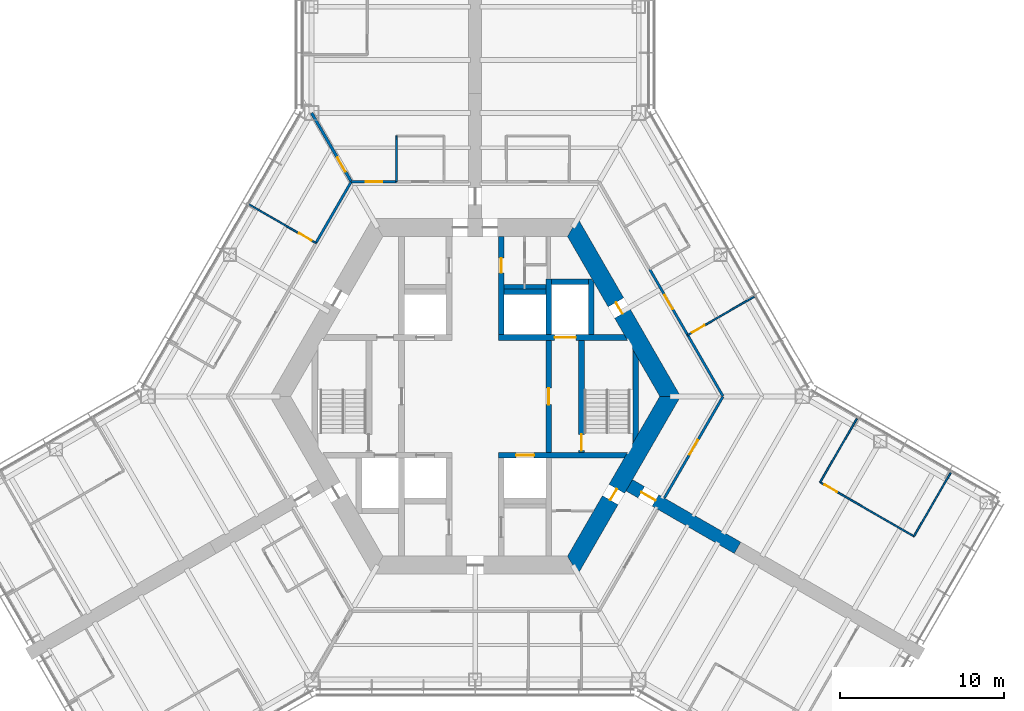
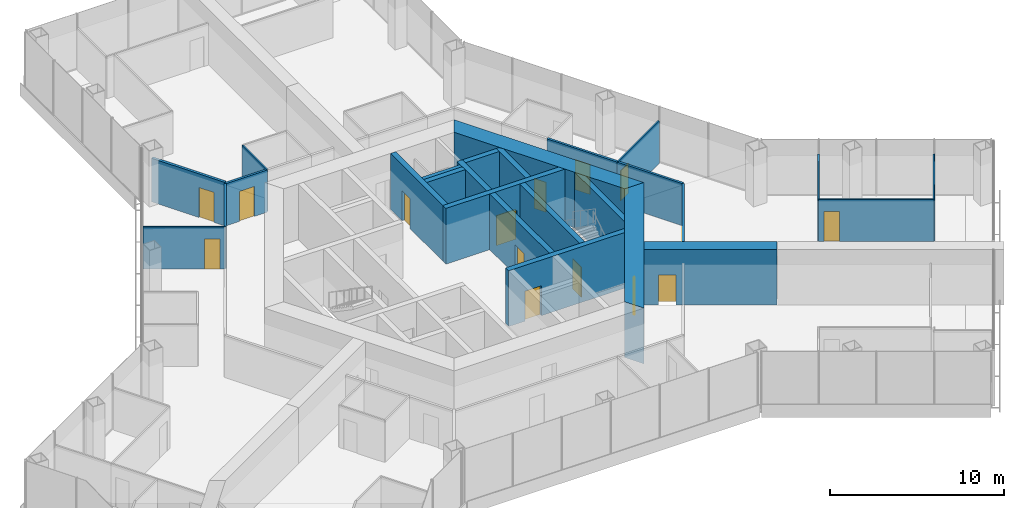
# One storey, part 14 of 18: 26 walls, 15 doors, 15 openings.
"""IFC4 building model written with IfcOpenShell, lengths in metres."""

from ifc_helpers import new_model, si_unit, direction, frame, frame_2d, origin, place, context, subcontext, project, spatial, polyline, rectangle, outline, extrude, material, layer, layer_set, type_object, element, fill, save


model = new_model("IFC4")

# Units and contexts
model_context = context("Model", 3, precision=1e-05, world=origin(), true_north=direction((0.0, 1.0)))
body_context = subcontext(model_context, "Body", "Model", "MODEL_VIEW")
ifc_project = project(units=[si_unit("LENGTHUNIT", "METRE"), si_unit("AREAUNIT", "SQUARE_METRE"), si_unit("VOLUMEUNIT", "CUBIC_METRE"), si_unit("PLANEANGLEUNIT", "RADIAN"), si_unit("MASSUNIT", "GRAM", prefix="KILO")], contexts=[model_context])

# Site, building, storey
site_placement = place(None, origin())
site = spatial("IfcSite", under=ifc_project, at=site_placement, CompositionType="ELEMENT")
building_placement = place(site_placement, origin())
building = spatial("IfcBuilding", under=site, at=building_placement, Name="Kasaneha Research Tower", CompositionType="ELEMENT")
storey_placement = place(building_placement, frame((0.0, 0.0, 111.89990234375)))
storey = spatial("IfcBuildingStorey", under=building, at=storey_placement, Name="L28", CompositionType="ELEMENT", Elevation=111.89990234375)

# Wall, opening, door
ifc_material_1 = material(Name="Concrete Fc80", Category="concrete")
ifc_layer_1 = layer(ifc_material_1, 0.35009765625)
ifc_layer_set_1 = layer_set([ifc_layer_1], Name="Core internal wall 350 Fc80")
wall_type_1 = type_object("IfcWallType", Name="Core internal wall 350 Fc80", PredefinedType="SHEAR", material=ifc_layer_set_1)
wall_1_placement = place(storey_placement, frame((1.425048828125, 3.60009765625, 0.0), z_axis=(0.0, 0.0, 1.0), x_axis=(1.0, 0.0, 0.0)))
wall_1 = element("IfcWall", 1, at=wall_1_placement, inside=storey, type_object=wall_type_1, Name="Core wall W1E L28", PredefinedType="SHEAR", context=body_context, shape_type="SweptSolid", body=[
    extrude(outline(polyline([(0.0, -0.175048828125), (3.425048828125, -0.175048828125), (4.72509765625, -0.175048828125), (7.884765625, -0.175048828125), (7.6826171875, 0.175048828125), (4.72509765625, 0.175048828125), (3.425048828125, 0.175048828125), (0.0, 0.175048828125), (0.0, -0.175048828125)])), origin(), (0.0, 0.0, 1.0), 3.900146484375),
])
opening_1_placement = place(wall_1_placement, frame((3.425048828125, 0.0, 0.0)))
opening_1 = element("IfcOpeningElement", 2, at=opening_1_placement, cuts=wall_1, Name="Opening LD-FL1-L28", PredefinedType="OPENING", context=body_context, shape_type="SweptSolid", body=[
    extrude(rectangle(XDim=1.300048828125, YDim=2.10009765625, at=frame_2d((0.64990234375, 1.050048828125))), frame((0.0, 0.18505859375, 0.0), z_axis=(0.0, -1.0, 0.0), x_axis=(1.0, 0.0, 0.0)), (0.0, 0.0, 1.0), 0.3701171875),
])
ifc_material_2 = material(Name="Steel", Category="steel")
door_type_1 = type_object("IfcDoorType", Name="Lift landing door 1300x2100", OperationType="DOUBLE_DOOR_SLIDING", PredefinedType="DOOR", material=ifc_material_2)
door_1_placement = place(opening_1_placement, origin())
door_1 = element("IfcDoor", 3, at=door_1_placement, inside=storey, type_object=door_type_1, Name="Landing door FL1 LD-FL1-L28", OperationType="DOUBLE_DOOR_SLIDING", OverallHeight=2.10009765625, OverallWidth=1.300048828125, PredefinedType="DOOR", context=body_context, shape_type="SweptSolid", body=[
    extrude(rectangle(XDim=1.300048828125, YDim=2.10009765625, at=frame_2d((0.64990234375, 1.050048828125))), frame((0.0, 0.02490234375, 0.0), z_axis=(0.0, -1.0, 0.0), x_axis=(1.0, 0.0, 0.0)), (0.0, 0.0, 1.0), 0.050048828125),
])
fill(opening_1, door_1)

wall_2_placement = place(storey_placement, frame((1.425048828125, -3.60009765625, 0.0), z_axis=(0.0, 0.0, 1.0), x_axis=(1.0, 0.0, 0.0)))
wall_2 = element("IfcWall", 4, at=wall_2_placement, inside=storey, type_object=wall_type_1, Name="Core wall W2E L28", PredefinedType="SHEAR", context=body_context, shape_type="SweptSolid", body=[
    extrude(outline(polyline([(0.0, -0.175048828125), (1.074951171875, -0.175048828125), (2.175048828125, -0.175048828125), (7.6826171875, -0.175048828125), (7.884765625, 0.175048828125), (2.175048828125, 0.175048828125), (1.074951171875, 0.175048828125), (0.0, 0.175048828125), (0.0, -0.175048828125)])), origin(), (0.0, 0.0, 1.0), 3.900146484375),
])
opening_2_placement = place(wall_2_placement, frame((1.074951171875, 0.0, 0.0)))
opening_2 = element("IfcOpeningElement", 5, at=opening_2_placement, cuts=wall_2, Name="Opening LD-LO3-L28", PredefinedType="OPENING", context=body_context, shape_type="SweptSolid", body=[
    extrude(rectangle(XDim=1.10009765625, YDim=2.10009765625, at=frame_2d((0.550048828125, 1.050048828125))), frame((0.0, 0.18505859375, 0.0), z_axis=(0.0, -1.0, 0.0), x_axis=(1.0, 0.0, 0.0)), (0.0, 0.0, 1.0), 0.3701171875),
])
ifc_material_3 = material(Name="Steel", Category="steel")
door_type_2 = type_object("IfcDoorType", Name="Lift landing door 1100x2100", OperationType="DOUBLE_DOOR_SLIDING", PredefinedType="DOOR", material=ifc_material_3)
door_2_placement = place(opening_2_placement, origin())
door_2 = element("IfcDoor", 6, at=door_2_placement, inside=storey, type_object=door_type_2, Name="Landing door LO3 LD-LO3-L28", OperationType="DOUBLE_DOOR_SLIDING", OverallHeight=2.10009765625, OverallWidth=1.10009765625, PredefinedType="DOOR", context=body_context, shape_type="SweptSolid", body=[
    extrude(rectangle(XDim=1.10009765625, YDim=2.10009765625, at=frame_2d((0.550048828125, 1.050048828125))), frame((0.0, 0.02490234375, 0.0), z_axis=(0.0, -1.0, 0.0), x_axis=(1.0, 0.0, 0.0)), (0.0, 0.0, 1.0), 0.050048828125),
])
fill(opening_2, door_2)

wall_3_placement = place(storey_placement, frame((1.60009765625, 3.77490234375, 0.0), z_axis=(0.0, 0.0, 1.0), x_axis=(0.0, 1.0, 0.0)))
wall_3 = element("IfcWall", 7, at=wall_3_placement, inside=storey, type_object=wall_type_1, Name="Core wall CNE L28", PredefinedType="SHEAR", context=body_context, shape_type="SweptSolid", body=[
    extrude(rectangle(XDim=6.0, YDim=0.35009765625, at=frame_2d((3.0, 0.0))), origin(), (0.0, 0.0, 1.0), 3.900146484375),
])
opening_3_placement = place(wall_3_placement, frame((3.77490234375, 0.0, 0.0)))
opening_3 = element("IfcOpeningElement", 8, at=opening_3_placement, cuts=wall_3, Name="Opening L28-D14", PredefinedType="OPENING", context=body_context, shape_type="SweptSolid", body=[
    extrude(rectangle(XDim=0.89990234375, YDim=2.10009765625, at=frame_2d((0.449951171875, 1.050048828125))), frame((0.0, 0.18505859375, 0.0), z_axis=(0.0, -1.0, 0.0), x_axis=(1.0, 0.0, 0.0)), (0.0, 0.0, 1.0), 0.3701171875),
])
ifc_material_4 = material(Name="Steel", Category="steel")
door_type_3 = type_object("IfcDoorType", Name="Toilet door FD20 900x2100", OperationType="NOTDEFINED", PredefinedType="DOOR", material=ifc_material_4)
door_3_placement = place(opening_3_placement, origin())
door_3 = element("IfcDoor", 9, at=door_3_placement, inside=storey, type_object=door_type_3, Name="Women's WC door L28-D14", OperationType="SINGLE_SWING_LEFT", OverallHeight=2.10009765625, OverallWidth=0.89990234375, PredefinedType="DOOR", context=body_context, shape_type="SweptSolid", body=[
    extrude(rectangle(XDim=0.89990234375, YDim=2.10009765625, at=frame_2d((0.449951171875, 1.050048828125))), frame((0.0, 0.02490234375, 0.0), z_axis=(0.0, -1.0, 0.0), x_axis=(1.0, 0.0, 0.0)), (0.0, 0.0, 1.0), 0.050048828125),
])
fill(opening_3, door_3)

wall_4_placement = place(storey_placement, frame((4.5, -3.425048828125, 0.0), z_axis=(0.0, 0.0, 1.0), x_axis=(0.0, 1.0, 0.0)))
wall_4 = element("IfcWall", 10, at=wall_4_placement, inside=storey, type_object=wall_type_1, Name="Core wall LBE L28", PredefinedType="SHEAR", context=body_context, shape_type="SweptSolid", body=[
    extrude(rectangle(XDim=6.85009765625, YDim=0.35009765625, at=frame_2d((3.425048828125, 0.0))), origin(), (0.0, 0.0, 1.0), 3.900146484375),
])
opening_4_placement = place(wall_4_placement, frame((2.925048828125, 0.0, 0.0)))
opening_4 = element("IfcOpeningElement", 11, at=opening_4_placement, cuts=wall_4, Name="Opening L28-D08", PredefinedType="OPENING", context=body_context, shape_type="SweptSolid", body=[
    extrude(rectangle(XDim=1.0, YDim=2.10009765625, at=frame_2d((0.5, 1.050048828125))), frame((0.0, 0.18505859375, 0.0), z_axis=(0.0, -1.0, 0.0), x_axis=(1.0, 0.0, 0.0)), (0.0, 0.0, 1.0), 0.3701171875),
])
ifc_material_5 = material(Name="Steel", Category="steel")
door_type_4 = type_object("IfcDoorType", Name="Specified fire door FD60 1000x2100", OperationType="NOTDEFINED", PredefinedType="DOOR", material=ifc_material_5)
door_4_placement = place(opening_4_placement, origin())
door_4 = element("IfcDoor", 12, at=door_4_placement, inside=storey, type_object=door_type_4, Name="Lift lobby door east L28-D08", OperationType="SINGLE_SWING_LEFT", OverallHeight=2.10009765625, OverallWidth=1.0, PredefinedType="DOOR", context=body_context, shape_type="SweptSolid", body=[
    extrude(rectangle(XDim=1.0, YDim=2.10009765625, at=frame_2d((0.5, 1.050048828125))), frame((0.0, 0.02490234375, 0.0), z_axis=(0.0, -1.0, 0.0), x_axis=(1.0, 0.0, 0.0)), (0.0, 0.0, 1.0), 0.050048828125),
])
fill(opening_4, door_4)

wall_5_placement = place(storey_placement, frame((6.5, -3.425048828125, 0.0), z_axis=(0.0, 0.0, 1.0), x_axis=(0.0, 1.0, 0.0)))
wall_5 = element("IfcWall", 13, at=wall_5_placement, inside=storey, type_object=wall_type_1, Name="Core wall ANE L28", PredefinedType="SHEAR", context=body_context, shape_type="SweptSolid", body=[
    extrude(rectangle(XDim=6.85009765625, YDim=0.35009765625, at=frame_2d((3.425048828125, 0.0))), origin(), (0.0, 0.0, 1.0), 3.900146484375),
])
opening_5_placement = place(wall_5_placement, frame((0.10009765625, 0.0, 0.0)))
opening_5 = element("IfcOpeningElement", 14, at=opening_5_placement, cuts=wall_5, Name="Opening L28-D10", PredefinedType="OPENING", context=body_context, shape_type="SweptSolid", body=[
    extrude(rectangle(XDim=1.0, YDim=2.10009765625, at=frame_2d((0.5, 1.050048828125))), frame((0.0, 0.18505859375, 0.0), z_axis=(0.0, -1.0, 0.0), x_axis=(1.0, 0.0, 0.0)), (0.0, 0.0, 1.0), 0.3701171875),
])
door_5_placement = place(opening_5_placement, origin())
door_5 = element("IfcDoor", 15, at=door_5_placement, inside=storey, type_object=door_type_4, Name="Stair 1 door L28-D10", OperationType="SINGLE_SWING_LEFT", OverallHeight=2.10009765625, OverallWidth=1.0, PredefinedType="DOOR", context=body_context, shape_type="SweptSolid", body=[
    extrude(rectangle(XDim=1.0, YDim=2.10009765625, at=frame_2d((0.5, 1.050048828125))), frame((0.0, 0.02490234375, 0.0), z_axis=(0.0, -1.0, 0.0), x_axis=(1.0, 0.0, 0.0)), (0.0, 0.0, 1.0), 0.050048828125),
])
fill(opening_5, door_5)

# Walls
wall_6_placement = place(storey_placement, frame((4.5, 3.77490234375, 0.0), z_axis=(0.0, 0.0, 1.0), x_axis=(0.0, 1.0, 0.0)))
element("IfcWall", 16, at=wall_6_placement, inside=storey, type_object=wall_type_1, Name="Core wall FNE L28", PredefinedType="SHEAR", context=body_context, shape_type="SweptSolid", body=[
    extrude(rectangle(XDim=3.400146484375, YDim=0.35009765625, at=frame_2d((1.7001953125, 0.0))), origin(), (0.0, 0.0, 1.0), 3.900146484375),
])
wall_7_placement = place(storey_placement, frame((1.77490234375, 6.39990234375, 0.0), z_axis=(0.0, 0.0, 1.0), x_axis=(1.0, 0.0, 0.0)))
element("IfcWall", 17, at=wall_7_placement, inside=storey, type_object=wall_type_1, Name="Core wall N3N L28", PredefinedType="SHEAR", context=body_context, shape_type="SweptSolid", body=[
    extrude(rectangle(XDim=2.550048828125, YDim=0.35009765625, at=frame_2d((1.27490234375, 0.0))), origin(), (0.0, 0.0, 1.0), 3.900146484375),
])
wall_8_placement = place(storey_placement, frame((4.675048828125, 7.0, 0.0), z_axis=(0.0, 0.0, 1.0), x_axis=(1.0, 0.0, 0.0)))
element("IfcWall", 18, at=wall_8_placement, inside=storey, type_object=wall_type_1, Name="Core wall F1N L28", PredefinedType="SHEAR", context=body_context, shape_type="SweptSolid", body=[
    extrude(rectangle(XDim=2.25, YDim=0.35009765625, at=frame_2d((1.125, 0.0))), origin(), (0.0, 0.0, 1.0), 3.900146484375),
])
wall_9_placement = place(storey_placement, frame((7.10009765625, 3.77490234375, 0.0), z_axis=(0.0, 0.0, 1.0), x_axis=(0.0, 1.0, 0.0)))
element("IfcWall", 19, at=wall_9_placement, inside=storey, type_object=wall_type_1, Name="Core wall F1E L28", PredefinedType="SHEAR", context=body_context, shape_type="SweptSolid", body=[
    extrude(outline(polyline([(0.0, -0.175048828125), (3.174560546875, -0.175048828125), (3.400146484375, 0.0), (3.400146484375, 0.175048828125), (0.0, 0.175048828125), (0.0, -0.175048828125)])), origin(), (0.0, 0.0, 1.0), 3.900146484375),
])
wall_10_placement = place(storey_placement, frame((9.807861328125, -2.562255859375, 0.0), z_axis=(0.0, 0.0, 1.0), x_axis=(0.0, 1.0, 0.0)))
element("IfcWall", 20, at=wall_10_placement, inside=storey, type_object=wall_type_1, Name="Core wall STE L28", PredefinedType="SHEAR", context=body_context, shape_type="SweptSolid", body=[
    extrude(outline(polyline([(0.30322265625, -0.175048828125), (4.8212890625, -0.175048828125), (5.427734375, 0.175048828125), (-0.30322265625, 0.175048828125), (0.30322265625, -0.175048828125)])), origin(), (0.0, 0.0, 1.0), 3.900146484375),
])

# Wall, opening, door
ifc_material_6 = material(Name="Concrete Fc80", Category="concrete")
ifc_layer_2 = layer(ifc_material_6, 1.10009765625)
ifc_layer_set_2 = layer_set([ifc_layer_2], Name="Core wall 1100 Fc80")
wall_type_2 = type_object("IfcWallType", Name="Core wall 1100 Fc80", PredefinedType="SHEAR", material=ifc_layer_set_2)
wall_11_placement = place(storey_placement, frame((11.92236328125, 0.0, 0.0), z_axis=(0.0, 0.0, 1.0), x_axis=(-0.500004296715, 0.866022923061, 0.0)))
wall_11 = element("IfcWall", 21, at=wall_11_placement, inside=storey, type_object=wall_type_2, Name="Core wall 030 L28", PredefinedType="SHEAR", context=body_context, shape_type="SweptSolid", body=[
    extrude(outline(polyline([(-0.317626953125, -0.550048828125), (5.83544921875, -0.550048828125), (6.635498046875, -0.550048828125), (12.239990234375, -0.550048828125), (11.604736328125, 0.550048828125), (6.635498046875, 0.550048828125), (5.83544921875, 0.550048828125), (0.317626953125, 0.550048828125), (-0.317626953125, -0.550048828125)])), origin(), (0.0, 0.0, 1.0), 3.900146484375),
])
opening_6_placement = place(wall_11_placement, frame((5.83544921875, 0.0, 0.0)))
opening_6 = element("IfcOpeningElement", 22, at=opening_6_placement, cuts=wall_11, Name="Opening L28-D04", PredefinedType="OPENING", context=body_context, shape_type="SweptSolid", body=[
    extrude(rectangle(XDim=0.800048828125, YDim=2.10009765625, at=frame_2d((0.39990234375, 1.050048828125))), frame((0.0, 0.56005859375, 0.0), z_axis=(0.0, -1.0, 0.0), x_axis=(1.0, 0.0, 0.0)), (0.0, 0.0, 1.0), 1.1201171875),
])
ifc_material_7 = material(Name="Steel", Category="steel")
door_type_5 = type_object("IfcDoorType", Name="Riser access door FD60 800x2100", OperationType="NOTDEFINED", PredefinedType="DOOR", material=ifc_material_7)
door_6_placement = place(opening_6_placement, origin())
door_6 = element("IfcDoor", 23, at=door_6_placement, inside=storey, type_object=door_type_5, Name="Pipe riser door L28-D04", OperationType="SINGLE_SWING_RIGHT", OverallHeight=2.10009765625, OverallWidth=0.800048828125, PredefinedType="DOOR", context=body_context, shape_type="SweptSolid", body=[
    extrude(rectangle(XDim=0.800048828125, YDim=2.10009765625, at=frame_2d((0.39990234375, 1.050048828125))), frame((0.0, 0.02490234375, 0.0), z_axis=(0.0, -1.0, 0.0), x_axis=(1.0, 0.0, 0.0)), (0.0, 0.0, 1.0), 0.050048828125),
])
fill(opening_6, door_6)

wall_12_placement = place(storey_placement, frame((5.961181640625, -10.324951171875, 0.0), z_axis=(0.0, 0.0, 1.0), x_axis=(0.500004296715, 0.866022923061, 0.0)))
wall_12 = element("IfcWall", 24, at=wall_12_placement, inside=storey, type_object=wall_type_2, Name="Core wall 330 L28", PredefinedType="SHEAR", context=body_context, shape_type="SweptSolid", body=[
    extrude(outline(polyline([(-0.317626953125, -0.550048828125), (4.593994140625, -0.550048828125), (5.39404296875, -0.550048828125), (12.239990234375, -0.550048828125), (11.604736328125, 0.550048828125), (5.39404296875, 0.550048828125), (4.593994140625, 0.550048828125), (0.317626953125, 0.550048828125), (-0.317626953125, -0.550048828125)])), origin(), (0.0, 0.0, 1.0), 3.900146484375),
])
opening_7_placement = place(wall_12_placement, frame((4.593994140625, 0.0, 0.0)))
opening_7 = element("IfcOpeningElement", 25, at=opening_7_placement, cuts=wall_12, Name="Opening L28-D05", PredefinedType="OPENING", context=body_context, shape_type="SweptSolid", body=[
    extrude(rectangle(XDim=0.800048828125, YDim=2.10009765625, at=frame_2d((0.39990234375, 1.050048828125))), frame((0.0, 0.56005859375, 0.0), z_axis=(0.0, -1.0, 0.0), x_axis=(1.0, 0.0, 0.0)), (0.0, 0.0, 1.0), 1.1201171875),
])
door_7_placement = place(opening_7_placement, origin())
door_7 = element("IfcDoor", 26, at=door_7_placement, inside=storey, type_object=door_type_5, Name="Pipe riser door L28-D05", OperationType="SINGLE_SWING_LEFT", OverallHeight=2.10009765625, OverallWidth=0.800048828125, PredefinedType="DOOR", context=body_context, shape_type="SweptSolid", body=[
    extrude(rectangle(XDim=0.800048828125, YDim=2.10009765625, at=frame_2d((0.39990234375, 1.050048828125))), frame((0.0, 0.02490234375, 0.0), z_axis=(0.0, -1.0, 0.0), x_axis=(1.0, 0.0, 0.0)), (0.0, 0.0, 1.0), 0.050048828125),
])
fill(opening_7, door_7)

ifc_material_8 = material(Name="Gypsum board on steel studs, one layer each side", Category="steel")
ifc_layer_3 = layer(ifc_material_8, 0.10009765625)
ifc_layer_set_3 = layer_set([ifc_layer_3], Name="Office partition 100")
wall_type_3 = type_object("IfcWallType", Name="Office partition 100", PredefinedType="PARTITIONING", material=ifc_layer_set_3)
wall_13_placement = place(storey_placement, frame((12.991943359375, 3.747314453125, 0.0), z_axis=(0.0, 0.0, 1.0), x_axis=(0.865555596133, 0.500812849279, 0.0)))
wall_13 = element("IfcWall", 27, at=wall_13_placement, inside=storey, type_object=wall_type_3, Name="Office partition FAE14 L28", PredefinedType="PARTITIONING", context=body_context, shape_type="SweptSolid", body=[
    extrude(rectangle(XDim=4.695556640625, YDim=0.10009765625, at=frame_2d((2.34765625, 0.0))), origin(), (0.0, 0.0, 1.0), 2.9501953125),
])
opening_8_placement = place(wall_13_placement, frame((0.300048828125, 0.0, 0.0)))
opening_8 = element("IfcOpeningElement", 28, at=opening_8_placement, cuts=wall_13, Name="Opening L28-D28", PredefinedType="OPENING", context=body_context, shape_type="SweptSolid", body=[
    extrude(rectangle(XDim=0.89990234375, YDim=2.10009765625, at=frame_2d((0.449951171875, 1.050048828125))), frame((0.0, 0.06005859375, 0.0), z_axis=(0.0, -1.0, 0.0), x_axis=(1.0, 0.0, 0.0)), (0.0, 0.0, 1.0), 0.1201171875),
])
ifc_material_9 = material(Name="Timber veneer", Category="wood")
door_type_6 = type_object("IfcDoorType", Name="Office door 900x2100", OperationType="SINGLE_SWING_LEFT", PredefinedType="DOOR", material=ifc_material_9)
door_8_placement = place(opening_8_placement, origin())
door_8 = element("IfcDoor", 29, at=door_8_placement, inside=storey, type_object=door_type_6, Name="Board meeting room door L28-D28", OperationType="SINGLE_SWING_LEFT", OverallHeight=2.10009765625, OverallWidth=0.89990234375, PredefinedType="DOOR", context=body_context, shape_type="SweptSolid", body=[
    extrude(rectangle(XDim=0.89990234375, YDim=2.10009765625, at=frame_2d((0.449951171875, 1.050048828125))), frame((0.0, 0.02490234375, 0.0), z_axis=(0.0, -1.0, 0.0), x_axis=(1.0, 0.0, 0.0)), (0.0, 0.0, 1.0), 0.050048828125),
])
fill(opening_8, door_8)

# Wall
wall_14_placement = place(storey_placement, frame((-4.8125, 13.125, 0.0), z_axis=(0.0, 0.0, 1.0), x_axis=(-0.001569446145, 0.999998768419, 0.0)))
element("IfcWall", 30, at=wall_14_placement, inside=storey, type_object=wall_type_3, Name="Office partition FAW05 L28", PredefinedType="PARTITIONING", context=body_context, shape_type="SweptSolid", body=[
    extrude(rectangle(XDim=2.800048828125, YDim=0.10009765625, at=frame_2d((1.39990234375, 0.0))), origin(), (0.0, 0.0, 1.0), 2.9501953125),
])

# Wall, opening, door
wall_15_placement = place(storey_placement, frame((-9.7412109375, 9.377685546875, 0.0), z_axis=(0.0, 0.0, 1.0), x_axis=(-0.866493666502, 0.499188066675, 0.0)))
wall_15 = element("IfcWall", 31, at=wall_15_placement, inside=storey, type_object=wall_type_3, Name="Office partition FBN04 L28", PredefinedType="PARTITIONING", context=body_context, shape_type="SweptSolid", body=[
    extrude(rectangle(XDim=4.720458984375, YDim=0.10009765625, at=frame_2d((2.3603515625, 0.0))), origin(), (0.0, 0.0, 1.0), 2.9501953125),
])
opening_9_placement = place(wall_15_placement, frame((0.300048828125, 0.0, 0.0)))
opening_9 = element("IfcOpeningElement", 32, at=opening_9_placement, cuts=wall_15, Name="Opening L28-D35", PredefinedType="OPENING", context=body_context, shape_type="SweptSolid", body=[
    extrude(rectangle(XDim=0.89990234375, YDim=2.10009765625, at=frame_2d((0.449951171875, 1.050048828125))), frame((0.0, 0.06005859375, 0.0), z_axis=(0.0, -1.0, 0.0), x_axis=(1.0, 0.0, 0.0)), (0.0, 0.0, 1.0), 0.1201171875),
])
door_9_placement = place(opening_9_placement, origin())
door_9 = element("IfcDoor", 33, at=door_9_placement, inside=storey, type_object=door_type_6, Name="Reception room door L28-D35", OperationType="SINGLE_SWING_LEFT", OverallHeight=2.10009765625, OverallWidth=0.89990234375, PredefinedType="DOOR", context=body_context, shape_type="SweptSolid", body=[
    extrude(rectangle(XDim=0.89990234375, YDim=2.10009765625, at=frame_2d((0.449951171875, 1.050048828125))), frame((0.0, 0.02490234375, 0.0), z_axis=(0.0, -1.0, 0.0), x_axis=(1.0, 0.0, 0.0)), (0.0, 0.0, 1.0), 0.050048828125),
])
fill(opening_9, door_9)

# Wall
wall_16_placement = place(storey_placement, frame((21.09228515625, -5.24951171875, 0.0), z_axis=(0.0, 0.0, 1.0), x_axis=(0.499989762656, 0.866031314237, 0.0)))
element("IfcWall", 34, at=wall_16_placement, inside=storey, type_object=wall_type_3, Name="Office partition FCE02 L28", PredefinedType="PARTITIONING", context=body_context, shape_type="SweptSolid", body=[
    extrude(rectangle(XDim=4.47998046875, YDim=0.10009765625, at=frame_2d((2.239990234375, 0.0))), origin(), (0.0, 0.0, 1.0), 2.9501953125),
])

# Wall, opening, door
wall_17_placement = place(storey_placement, frame((26.824951171875, -8.55908203125, 0.0), z_axis=(0.0, 0.0, 1.0), x_axis=(-0.866037567856, 0.499978930619, 0.0)))
wall_17 = element("IfcWall", 35, at=wall_17_placement, inside=storey, type_object=wall_type_3, Name="Office partition FCE03 L28", PredefinedType="PARTITIONING", context=body_context, shape_type="SweptSolid", body=[
    extrude(rectangle(XDim=6.619384765625, YDim=0.10009765625, at=frame_2d((3.3095703125, 0.0))), origin(), (0.0, 0.0, 1.0), 2.9501953125),
])
opening_10_placement = place(wall_17_placement, frame((5.419677734375, 0.0, 0.0)))
opening_10 = element("IfcOpeningElement", 36, at=opening_10_placement, cuts=wall_17, Name="Opening L28-D45", PredefinedType="OPENING", context=body_context, shape_type="SweptSolid", body=[
    extrude(rectangle(XDim=0.89990234375, YDim=2.10009765625, at=frame_2d((0.449951171875, 1.050048828125))), frame((0.0, 0.06005859375, 0.0), z_axis=(0.0, -1.0, 0.0), x_axis=(1.0, 0.0, 0.0)), (0.0, 0.0, 1.0), 0.1201171875),
])
door_10_placement = place(opening_10_placement, origin())
door_10 = element("IfcDoor", 37, at=door_10_placement, inside=storey, type_object=door_type_6, Name="Large meeting room door L28-D45", OperationType="SINGLE_SWING_RIGHT", OverallHeight=2.10009765625, OverallWidth=0.89990234375, PredefinedType="DOOR", context=body_context, shape_type="SweptSolid", body=[
    extrude(rectangle(XDim=0.89990234375, YDim=2.10009765625, at=frame_2d((0.449951171875, 1.050048828125))), frame((0.0, 0.02490234375, 0.0), z_axis=(0.0, -1.0, 0.0), x_axis=(1.0, 0.0, 0.0)), (0.0, 0.0, 1.0), 0.050048828125),
])
fill(opening_10, door_10)

# Wall
wall_18_placement = place(storey_placement, frame((29.074951171875, -4.662109375, 0.0), z_axis=(0.0, 0.0, 1.0), x_axis=(-0.500013631625, -0.866017533419, 0.0)))
element("IfcWall", 38, at=wall_18_placement, inside=storey, type_object=wall_type_3, Name="Office partition FCE04 L28", PredefinedType="PARTITIONING", context=body_context, shape_type="SweptSolid", body=[
    extrude(rectangle(XDim=4.499755859375, YDim=0.10009765625, at=frame_2d((2.25, 0.0))), origin(), (0.0, 0.0, 1.0), 2.9501953125),
])

# Wall, opening, door
ifc_material_10 = material(Name="Concrete Fc80", Category="concrete")
ifc_layer_4 = layer(ifc_material_10, 0.800048828125)
ifc_layer_set_4 = layer_set([ifc_layer_4], Name="Spine wall 800 Fc80")
wall_type_4 = type_object("IfcWallType", Name="Spine wall 800 Fc80", PredefinedType="SHEAR", material=ifc_layer_set_4)
wall_19_placement = place(storey_placement, frame((9.41796875, -5.4375, 0.0), z_axis=(0.0, 0.0, 1.0), x_axis=(0.866029782078, -0.499992416496, 0.0)))
wall_19 = element("IfcWall", 39, at=wall_19_placement, inside=storey, type_object=wall_type_4, Name="Spine wall C L28", PredefinedType="SHEAR", context=body_context, shape_type="SweptSolid", body=[
    extrude(rectangle(XDim=7.6455078125, YDim=0.800048828125, at=frame_2d((3.82275390625, 0.0))), origin(), (0.0, 0.0, 1.0), 3.900146484375),
])
opening_11_placement = place(wall_19_placement, frame((0.85009765625, 0.0, 0.0)))
opening_11 = element("IfcOpeningElement", 40, at=opening_11_placement, cuts=wall_19, Name="Opening L28-D19", PredefinedType="OPENING", context=body_context, shape_type="SweptSolid", body=[
    extrude(rectangle(XDim=1.0, YDim=2.10009765625, at=frame_2d((0.5, 1.050048828125))), frame((0.0, 0.41015625, 0.0), z_axis=(0.0, -1.0, 0.0), x_axis=(1.0, 0.0, 0.0)), (0.0, 0.0, 1.0), 0.820068359375),
])
door_11_placement = place(opening_11_placement, origin())
door_11 = element("IfcDoor", 41, at=door_11_placement, inside=storey, type_object=door_type_4, Name="Spine doorway C L28-D19", OperationType="SINGLE_SWING_LEFT", OverallHeight=2.10009765625, OverallWidth=1.0, PredefinedType="DOOR", context=body_context, shape_type="SweptSolid", body=[
    extrude(rectangle(XDim=1.0, YDim=2.10009765625, at=frame_2d((0.5, 1.050048828125))), frame((0.0, 0.02490234375, 0.0), z_axis=(0.0, -1.0, 0.0), x_axis=(1.0, 0.0, 0.0)), (0.0, 0.0, 1.0), 0.050048828125),
])
fill(opening_11, door_11)

# Wall
ifc_material_11 = material(Name="Gypsum board on steel studs, two layers each side", Category="steel")
ifc_layer_5 = layer(ifc_material_11, 0.14990234375)
ifc_layer_set_5 = layer_set([ifc_layer_5], Name="Suite partition 150")
wall_type_5 = type_object("IfcWallType", Name="Suite partition 150", PredefinedType="PARTITIONING", material=ifc_layer_set_5)
wall_20_placement = place(storey_placement, frame((12.9873046875, 3.75537109375, 0.0), z_axis=(0.0, 0.0, 1.0), x_axis=(0.499980509014, -0.866036656618, 0.0)))
element("IfcWall", 42, at=wall_20_placement, inside=storey, type_object=wall_type_5, Name="Suite partition FAE03 L28", PredefinedType="PARTITIONING", context=body_context, shape_type="SweptSolid", body=[
    extrude(rectangle(XDim=4.313232421875, YDim=0.14990234375, at=frame_2d((2.15673828125, 0.0))), origin(), (0.0, 0.0, 1.0), 2.9501953125),
])

# Wall, opening, door
wall_21_placement = place(storey_placement, frame((10.664306640625, 7.77880859375, 0.0), z_axis=(0.0, 0.0, 1.0), x_axis=(0.500008456887, -0.866020521143, 0.0)))
wall_21 = element("IfcWall", 43, at=wall_21_placement, inside=storey, type_object=wall_type_5, Name="Suite partition FAE07 L28", PredefinedType="PARTITIONING", context=body_context, shape_type="SweptSolid", body=[
    extrude(rectangle(XDim=4.6552734375, YDim=0.14990234375, at=frame_2d((2.32763671875, 0.0))), origin(), (0.0, 0.0, 1.0), 2.9501953125),
])
opening_12_placement = place(wall_21_placement, frame((1.82763671875, 0.0, 0.0)))
opening_12 = element("IfcOpeningElement", 44, at=opening_12_placement, cuts=wall_21, Name="Opening L28-D26", PredefinedType="OPENING", context=body_context, shape_type="SweptSolid", body=[
    extrude(rectangle(XDim=1.0, YDim=2.10009765625, at=frame_2d((0.5, 1.050048828125))), frame((0.0, 0.0849609375, 0.0), z_axis=(0.0, -1.0, 0.0), x_axis=(1.0, 0.0, 0.0)), (0.0, 0.0, 1.0), 0.169921875),
])
ifc_material_12 = material(Name="Steel", Category="steel")
door_type_7 = type_object("IfcDoorType", Name="Suite entrance door FD60 1000x2100", OperationType="NOTDEFINED", PredefinedType="DOOR", material=ifc_material_12)
door_12_placement = place(opening_12_placement, origin())
door_12 = element("IfcDoor", 45, at=door_12_placement, inside=storey, type_object=door_type_7, Name="Suite entrance door L28-D26", OperationType="SINGLE_SWING_LEFT", OverallHeight=2.10009765625, OverallWidth=1.0, PredefinedType="DOOR", context=body_context, shape_type="SweptSolid", body=[
    extrude(rectangle(XDim=1.0, YDim=2.10009765625, at=frame_2d((0.5, 1.050048828125))), frame((0.0, 0.02490234375, 0.0), z_axis=(0.0, -1.0, 0.0), x_axis=(1.0, 0.0, 0.0)), (0.0, 0.0, 1.0), 0.050048828125),
])
fill(opening_12, door_12)

wall_22_placement = place(storey_placement, frame((-7.5546875, 13.125, 0.0), z_axis=(0.0, 0.0, 1.0), x_axis=(1.0, 0.0, 0.0)))
wall_22 = element("IfcWall", 46, at=wall_22_placement, inside=storey, type_object=wall_type_5, Name="Suite partition FAW02 L28", PredefinedType="PARTITIONING", context=body_context, shape_type="SweptSolid", body=[
    extrude(rectangle(XDim=2.7421875, YDim=0.14990234375, at=frame_2d((1.37109375, 0.0))), origin(), (0.0, 0.0, 1.0), 2.9501953125),
])
opening_13_placement = place(wall_22_placement, frame((0.87109375, 0.0, 0.0)))
opening_13 = element("IfcOpeningElement", 47, at=opening_13_placement, cuts=wall_22, Name="Opening L28-D31", PredefinedType="OPENING", context=body_context, shape_type="SweptSolid", body=[
    extrude(rectangle(XDim=1.0, YDim=2.10009765625, at=frame_2d((0.5, 1.050048828125))), frame((0.0, 0.0849609375, 0.0), z_axis=(0.0, -1.0, 0.0), x_axis=(1.0, 0.0, 0.0)), (0.0, 0.0, 1.0), 0.169921875),
])
door_13_placement = place(opening_13_placement, origin())
door_13 = element("IfcDoor", 48, at=door_13_placement, inside=storey, type_object=door_type_7, Name="Suite entrance door L28-D31", OperationType="SINGLE_SWING_LEFT", OverallHeight=2.10009765625, OverallWidth=1.0, PredefinedType="DOOR", context=body_context, shape_type="SweptSolid", body=[
    extrude(rectangle(XDim=1.0, YDim=2.10009765625, at=frame_2d((0.5, 1.050048828125))), frame((0.0, 0.02490234375, 0.0), z_axis=(0.0, -1.0, 0.0), x_axis=(1.0, 0.0, 0.0)), (0.0, 0.0, 1.0), 0.050048828125),
])
fill(opening_13, door_13)

# Wall
wall_23_placement = place(storey_placement, frame((-9.745849609375, 9.36962890625, 0.0), z_axis=(0.0, 0.0, 1.0), x_axis=(0.499980509014, 0.866036656618, 0.0)))
element("IfcWall", 49, at=wall_23_placement, inside=storey, type_object=wall_type_5, Name="Suite partition FBN01 L28", PredefinedType="PARTITIONING", context=body_context, shape_type="SweptSolid", body=[
    extrude(rectangle(XDim=4.313232421875, YDim=0.14990234375, at=frame_2d((2.15673828125, 0.0))), origin(), (0.0, 0.0, 1.0), 2.9501953125),
])

# Wall, opening, door
wall_24_placement = place(storey_placement, frame((15.143798828125, -0.02001953125, 0.0), z_axis=(0.0, 0.0, 1.0), x_axis=(-0.499985098601, -0.86603400694, 0.0)))
wall_24 = element("IfcWall", 50, at=wall_24_placement, inside=storey, type_object=wall_type_5, Name="Suite partition FCE01 L28", PredefinedType="PARTITIONING", context=body_context, shape_type="SweptSolid", body=[
    extrude(rectangle(XDim=7.134521484375, YDim=0.14990234375, at=frame_2d((3.5673828125, 0.0))), origin(), (0.0, 0.0, 1.0), 2.9501953125),
])
opening_14_placement = place(wall_24_placement, frame((3.0673828125, 0.0, 0.0)))
opening_14 = element("IfcOpeningElement", 51, at=opening_14_placement, cuts=wall_24, Name="Opening L28-D44", PredefinedType="OPENING", context=body_context, shape_type="SweptSolid", body=[
    extrude(rectangle(XDim=1.0, YDim=2.10009765625, at=frame_2d((0.5, 1.050048828125))), frame((0.0, 0.0849609375, 0.0), z_axis=(0.0, -1.0, 0.0), x_axis=(1.0, 0.0, 0.0)), (0.0, 0.0, 1.0), 0.169921875),
])
door_14_placement = place(opening_14_placement, origin())
door_14 = element("IfcDoor", 52, at=door_14_placement, inside=storey, type_object=door_type_7, Name="Suite entrance door L28-D44", OperationType="SINGLE_SWING_LEFT", OverallHeight=2.10009765625, OverallWidth=1.0, PredefinedType="DOOR", context=body_context, shape_type="SweptSolid", body=[
    extrude(rectangle(XDim=1.0, YDim=2.10009765625, at=frame_2d((0.5, 1.050048828125))), frame((0.0, 0.02490234375, 0.0), z_axis=(0.0, -1.0, 0.0), x_axis=(1.0, 0.0, 0.0)), (0.0, 0.0, 1.0), 0.050048828125),
])
fill(opening_14, door_14)

ifc_material_13 = material(Name="Gypsum board on steel studs, two layers each side", Category="steel")
ifc_layer_6 = layer(ifc_material_13, 0.175048828125)
ifc_layer_set_6 = layer_set([ifc_layer_6], Name="Tenancy fire partition 175")
wall_type_6 = type_object("IfcWallType", Name="Tenancy fire partition 175", PredefinedType="PARTITIONING", material=ifc_layer_set_6)
wall_25_placement = place(storey_placement, frame((-7.57763671875, 13.125, 0.0), z_axis=(0.0, 0.0, 1.0), x_axis=(-0.500008905493, 0.866020262135, 0.0)))
wall_25 = element("IfcWall", 53, at=wall_25_placement, inside=storey, type_object=wall_type_6, Name="Tenancy fire partition T120 L28", PredefinedType="PARTITIONING", context=body_context, shape_type="SweptSolid", body=[
    extrude(rectangle(XDim=4.8447265625, YDim=0.175048828125, at=frame_2d((2.42236328125, 0.0))), origin(), (0.0, 0.0, 1.0), 3.050048828125),
])
opening_15_placement = place(wall_25_placement, frame((0.699951171875, 0.0, 0.0)))
opening_15 = element("IfcOpeningElement", 54, at=opening_15_placement, cuts=wall_25, Name="Opening L28-D23", PredefinedType="OPENING", context=body_context, shape_type="SweptSolid", body=[
    extrude(rectangle(XDim=1.0, YDim=2.10009765625, at=frame_2d((0.5, 1.050048828125))), frame((0.0, 0.09765625, 0.0), z_axis=(0.0, -1.0, 0.0), x_axis=(1.0, 0.0, 0.0)), (0.0, 0.0, 1.0), 0.195068359375),
])
door_15_placement = place(opening_15_placement, origin())
door_15 = element("IfcDoor", 55, at=door_15_placement, inside=storey, type_object=door_type_7, Name="Connecting door L28-D23", OperationType="SINGLE_SWING_LEFT", OverallHeight=2.10009765625, OverallWidth=1.0, PredefinedType="DOOR", context=body_context, shape_type="SweptSolid", body=[
    extrude(rectangle(XDim=1.0, YDim=2.10009765625, at=frame_2d((0.5, 1.050048828125))), frame((0.0, 0.02490234375, 0.0), z_axis=(0.0, -1.0, 0.0), x_axis=(1.0, 0.0, 0.0)), (0.0, 0.0, 1.0), 0.050048828125),
])
fill(opening_15, door_15)

# Wall
ifc_material_14 = material(Name="Concrete block lining", Category="concrete")
ifc_layer_7 = layer(ifc_material_14, 0.25)
ifc_layer_set_7 = layer_set([ifc_layer_7], Name="WC plumbing wall 250")
wall_type_7 = type_object("IfcWallType", Name="WC plumbing wall 250", PredefinedType="PLUMBINGWALL", material=ifc_layer_set_7)
wall_26_placement = place(storey_placement, frame((1.77490234375, 6.699951171875, 0.0), z_axis=(0.0, 0.0, 1.0), x_axis=(1.0, 0.0, 0.0)))
element("IfcWall", 56, at=wall_26_placement, inside=storey, type_object=wall_type_7, Name="WC plumbing wall F L28", PredefinedType="PLUMBINGWALL", context=body_context, shape_type="SweptSolid", body=[
    extrude(rectangle(XDim=2.550048828125, YDim=0.25, at=frame_2d((1.27490234375, 0.0))), origin(), (0.0, 0.0, 1.0), 3.900146484375),
])

save(model, "model.ifc")
